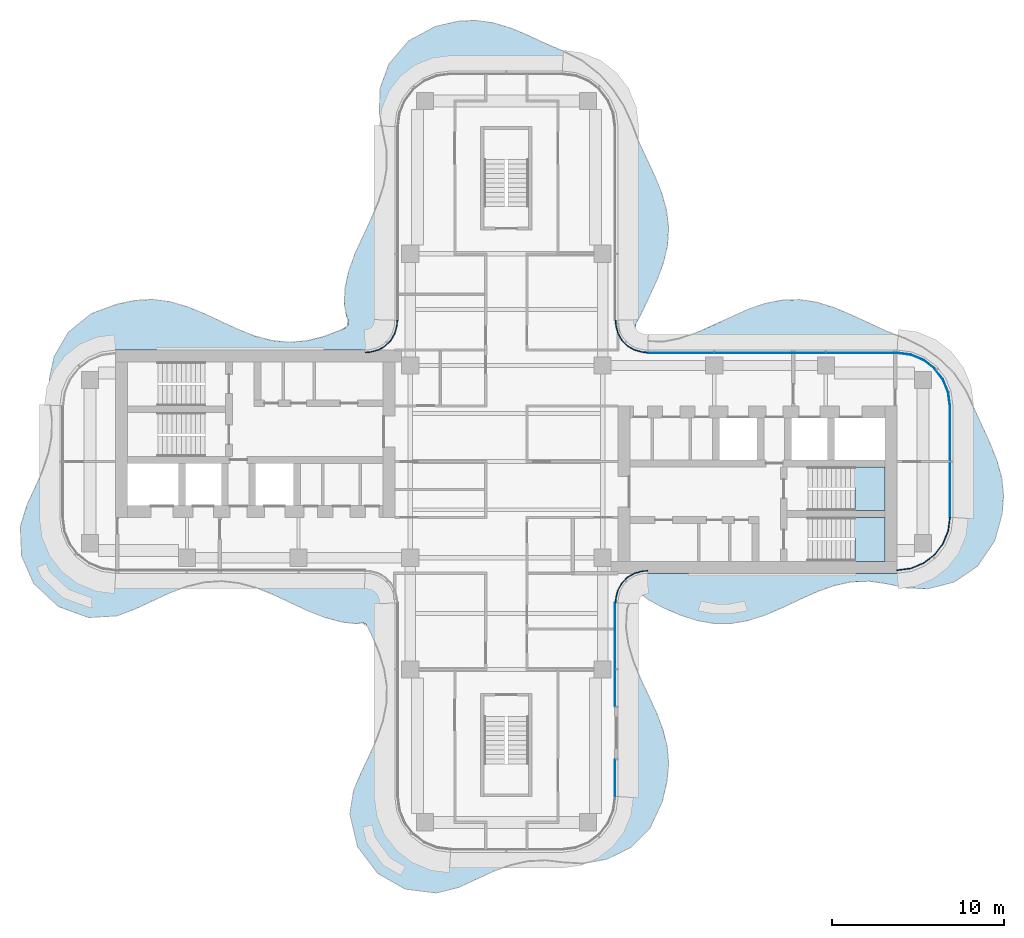
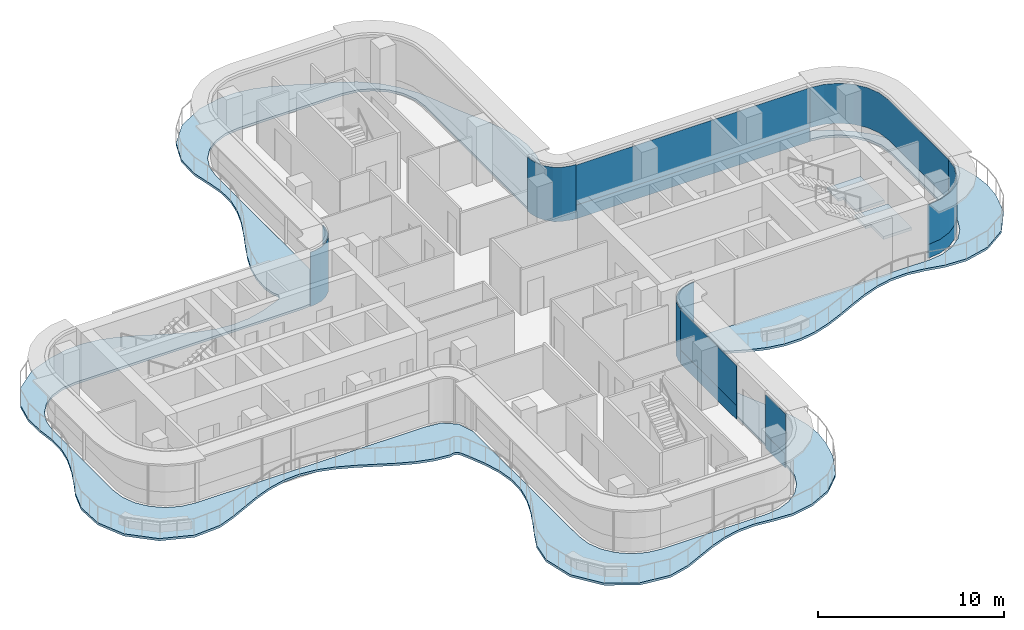
# One storey, part 9 of 16: 12 plates, 3 slabs, 10 elements without a shape of their own.
"""IFC4 building model written with IfcOpenShell, lengths in metres."""

from ifc_helpers import new_model, si_unit, direction, frame, origin, place, context, subcontext, project, spatial, polyline, outline, extrude, source, transform, mapped, material, layer, layer_set, type_object, element, aggregate, save


model = new_model("IFC4")

# Units and contexts
model_context = context("Model", 3, precision=1e-05, world=origin(), true_north=direction((0.0, 1.0)))
body_context = subcontext(model_context, "Body", "Model", "MODEL_VIEW")
ifc_project = project(units=[si_unit("LENGTHUNIT", "METRE"), si_unit("AREAUNIT", "SQUARE_METRE"), si_unit("VOLUMEUNIT", "CUBIC_METRE"), si_unit("PLANEANGLEUNIT", "RADIAN"), si_unit("MASSUNIT", "GRAM", prefix="KILO")], contexts=[model_context])

# Site, building, storey
site_placement = place(None, origin())
site = spatial("IfcSite", under=ifc_project, at=site_placement, CompositionType="ELEMENT")
building_placement = place(site_placement, origin())
building = spatial("IfcBuilding", under=site, at=building_placement, Name="Trellis Farm Tower", CompositionType="ELEMENT")
storey_placement = place(building_placement, frame((0.0, 0.0, 291.10009765625)))
storey = spatial("IfcBuildingStorey", under=building, at=storey_placement, Name="L65", CompositionType="ELEMENT", Elevation=291.10009765625)

# Slab
ifc_material_1 = material(Name="Concrete C40/50", Category="concrete")
ifc_layer_1 = layer(ifc_material_1, 0.14990234375)
ifc_layer_set_1 = layer_set([ifc_layer_1], Name="Balcony slab 150")
slab_type_1 = type_object("IfcSlabType", Name="Balcony slab 150", PredefinedType="FLOOR", material=ifc_layer_set_1)
slab_1_placement = place(storey_placement, frame((0.0, 0.0, -0.150146484375)))
element("IfcSlab", 1, at=slab_1_placement, inside=storey, type_object=slab_type_1, Name="Balcony slab", PredefinedType="FLOOR", context=body_context, shape_type="SweptSolid", body=[
    extrude(outline(polyline([(-27.43359375, -1.492431640625), (-27.00732421875, -0.5166015625), (-27.0048828125, -0.510498046875), (-26.66162109375, 0.518798828125), (-26.658935546875, 0.52880859375), (-26.48486328125, 1.46240234375), (-26.483642578125, 1.474853515625), (-26.46826171875, 2.469482421875), (-26.46875, 2.4794921875), (-26.59765625, 3.57177734375), (-26.5986328125, 3.586669921875), (-26.619384765625, 4.7861328125), (-26.6162109375, 4.8203125), (-26.339599609375, 6.101806640625), (-26.322509765625, 6.1455078125), (-25.54833984375, 7.478759765625), (-25.53271484375, 7.5009765625), (-25.510498046875, 7.526611328125), (-25.491943359375, 7.544921875), (-24.22900390625, 8.583984375), (-24.186279296875, 8.608642578125), (-22.707763671875, 9.1611328125), (-22.68603515625, 9.16748046875), (-21.623779296875, 9.389404296875), (-21.601318359375, 9.392333984375), (-20.62939453125, 9.444091796875), (-20.602783203125, 9.443359375), (-19.62646484375, 9.32080078125), (-19.603515625, 9.316162109375), (-18.6015625, 9.02734375), (-18.586181640625, 9.02197265625), (-17.6025390625, 8.61962890625), (-17.59619140625, 8.61669921875), (-15.6171875, 7.69482421875), (-15.61279296875, 7.693115234375), (-14.62939453125, 7.309814453125), (-14.62109375, 7.307373046875), (-13.640380859375, 7.05078125), (-13.628662109375, 7.048583984375), (-12.64599609375, 6.95361328125), (-12.6328125, 6.95361328125), (-11.6435546875, 7.034912109375), (-11.63134765625, 7.037109375), (-10.634521484375, 7.287109375), (-10.625732421875, 7.289794921875), (-9.60302734375, 7.68310546875), (-9.5986328125, 7.68505859375), (-9.39306640625, 7.77978515625), (-9.375244140625, 7.79150390625), (-9.250732421875, 7.900390625), (-9.228515625, 7.935546875), (-9.185791015625, 8.084228515625), (-9.186279296875, 8.125732421875), (-9.234619140625, 8.28466796875), (-9.242919921875, 8.302978515625), (-9.303466796875, 8.3984375), (-9.324462890625, 8.45263671875), (-9.44091796875, 9.111572265625), (-9.443115234375, 9.145263671875), (-9.39501953125, 10.109375), (-9.3916015625, 10.134033203125), (-9.182373046875, 11.085693359375), (-9.177001953125, 11.1044921875), (-8.81640625, 12.106201171875), (-8.81201171875, 12.11669921875), (-8.368896484375, 13.1015625), (-8.36767578125, 13.104248046875), (-7.89208984375, 14.108154296875), (-7.890869140625, 14.110595703125), (-7.460693359375, 15.114990234375), (-7.458251953125, 15.121337890625), (-7.150146484375, 16.07275390625), (-7.147705078125, 16.0830078125), (-6.97607421875, 17.063720703125), (-6.97509765625, 17.076904296875), (-6.9814453125, 18.123291015625), (-6.982666015625, 18.13623046875), (-7.1572265625, 19.093017578125), (-7.15771484375, 19.0947265625), (-7.3974609375, 20.24609375), (-7.400390625, 20.28125), (-7.358642578125, 21.693359375), (-7.349609375, 21.739990234375), (-6.836669921875, 23.158447265625), (-6.824951171875, 23.18359375), (-6.806884765625, 23.21435546875), (-6.790771484375, 23.23681640625), (-5.70849609375, 24.483154296875), (-5.688720703125, 24.502197265625), (-5.66064453125, 24.5244140625), (-5.6376953125, 24.53955078125), (-4.133056640625, 25.339111328125), (-4.095703125, 25.35302734375), (-2.7763671875, 25.64990234375), (-2.7490234375, 25.653564453125), (-1.777587890625, 25.6904296875), (-1.75048828125, 25.68896484375), (-0.748046875, 25.54541015625), (-0.7255859375, 25.540283203125), (0.250732421875, 25.244384765625), (0.264892578125, 25.2392578125), (1.241943359375, 24.831787109375), (1.248291015625, 24.8291015625), (2.25244140625, 24.35595703125), (2.2548828125, 24.35498046875), (3.31201171875, 23.901611328125), (3.320556640625, 23.897705078125), (4.4453125, 23.328369140625), (4.470947265625, 23.31201171875), (5.431396484375, 22.548095703125), (5.449951171875, 22.530517578125), (6.1787109375, 21.714111328125), (6.19140625, 21.697265625), (6.810302734375, 20.76904296875), (6.822021484375, 20.74755859375), (7.30419921875, 19.67724609375), (7.307373046875, 19.669677734375), (7.723388671875, 18.5908203125), (7.725341796875, 18.586181640625), (8.64697265625, 16.609130859375), (8.650146484375, 16.601806640625), (9.0458984375, 15.61865234375), (9.05126953125, 15.603271484375), (9.324951171875, 14.627685546875), (9.32958984375, 14.604736328125), (9.444580078125, 13.63330078125), (9.4453125, 13.60595703125), (9.3818359375, 12.603515625), (9.378173828125, 12.578369140625), (9.1484375, 11.604736328125), (9.14306640625, 11.5869140625), (8.778564453125, 10.606689453125), (8.77392578125, 10.595947265625), (7.8564453125, 8.617919921875), (7.851806640625, 8.609130859375), (7.54052734375, 8.038818359375), (7.53271484375, 8.017578125), (7.496337890625, 7.8349609375), (7.495361328125, 7.8125), (7.527587890625, 7.50830078125), (7.531494140625, 7.4912109375), (7.576904296875, 7.36328125), (7.595458984375, 7.33447265625), (7.693603515625, 7.240478515625), (7.70751953125, 7.22998046875), (8.060791015625, 7.0234375), (8.07958984375, 7.015625), (8.2421875, 6.97314453125), (8.262939453125, 6.970703125), (9.135498046875, 6.9912109375), (9.148193359375, 6.99267578125), (10.08203125, 7.177490234375), (10.091796875, 7.179931640625), (11.119873046875, 7.531982421875), (11.1259765625, 7.5341796875), (12.112060546875, 7.9697265625), (12.11376953125, 7.970703125), (13.10791015625, 8.442626953125), (13.11181640625, 8.4443359375), (14.10791015625, 8.8818359375), (14.119873046875, 8.886474609375), (15.107666015625, 9.22216796875), (15.127685546875, 9.2275390625), (16.107177734375, 9.414794921875), (16.1328125, 9.41748046875), (17.10595703125, 9.43310546875), (17.132080078125, 9.43115234375), (18.079345703125, 9.27978515625), (18.1005859375, 9.27490234375), (19.0869140625, 8.96630859375), (19.1005859375, 8.961181640625), (20.095458984375, 8.539794921875), (20.099853515625, 8.537841796875), (22.08740234375, 7.61669921875), (22.092041015625, 7.61474609375), (23.19287109375, 7.18994140625), (23.205078125, 7.1845703125), (24.225341796875, 6.6826171875), (24.245361328125, 6.6708984375), (25.181396484375, 6.013427734375), (25.198974609375, 5.998779296875), (26.02392578125, 5.2060546875), (26.0439453125, 5.1826171875), (26.737060546875, 4.170166015625), (26.749755859375, 4.147705078125), (28.191162109375, 0.997802734375), (28.1943359375, 0.990478515625), (28.5771484375, 0.017333984375), (28.58251953125, 0.001220703125), (28.843017578125, -0.97412109375), (28.84716796875, -0.997314453125), (28.94677734375, -1.96923828125), (28.947021484375, -1.99609375), (28.86669921875, -3.028076171875), (28.86181640625, -3.055908203125), (28.453125, -4.5546875), (28.43310546875, -4.59814453125), (27.47802734375, -6.033935546875), (27.459716796875, -6.056396484375), (27.43310546875, -6.083251953125), (27.41064453125, -6.101806640625), (26.0712890625, -7.00927734375), (26.048583984375, -7.02197265625), (26.01806640625, -7.03564453125), (25.992919921875, -7.04443359375), (24.548828125, -7.402587890625), (24.50537109375, -7.406982421875), (23.2392578125, -7.34423828125), (23.214599609375, -7.341064453125), (22.114990234375, -7.100830078125), (22.109619140625, -7.099853515625), (21.1376953125, -6.962646484375), (21.124267578125, -6.9619140625), (20.078125, -7.00244140625), (20.065185546875, -7.00390625), (19.084716796875, -7.215576171875), (19.075439453125, -7.21826171875), (18.11865234375, -7.55859375), (18.11328125, -7.560546875), (17.108154296875, -8.0087890625), (17.106689453125, -8.009765625), (16.104248046875, -8.485107421875), (16.099609375, -8.4873046875), (15.1044921875, -8.917724609375), (15.091796875, -8.922607421875), (14.1044921875, -9.246337890625), (14.083984375, -9.251708984375), (13.105224609375, -9.424072265625), (13.0791015625, -9.42626953125), (12.1064453125, -9.42578125), (12.08056640625, -9.42333984375), (11.108154296875, -9.25146484375), (11.08740234375, -9.24609375), (10.109619140625, -8.92578125), (10.0966796875, -8.9208984375), (9.125244140625, -8.50146484375), (9.11279296875, -8.495361328125), (8.27197265625, -8.03515625), (8.2529296875, -8.02294921875), (7.97021484375, -7.80712890625), (7.955078125, -7.79833984375), (7.82666015625, -7.741455078125), (7.7919921875, -7.7353515625), (7.652099609375, -7.744873046875), (7.63427734375, -7.748291015625), (7.4501953125, -7.806884765625), (7.434814453125, -7.813720703125), (7.322021484375, -7.880615234375), (7.298095703125, -7.9033203125), (7.2255859375, -8.0126953125), (7.218017578125, -8.027587890625), (7.02099609375, -8.55078125), (7.017822265625, -8.562255859375), (6.998291015625, -8.658447265625), (6.99658203125, -8.670654296875), (6.960693359375, -9.632080078125), (6.96142578125, -9.6455078125), (7.09912109375, -10.626953125), (7.101318359375, -10.637939453125), (7.3935546875, -11.619140625), (7.396240234375, -11.626220703125), (7.80322265625, -12.611083984375), (7.8046875, -12.614013671875), (8.725830078125, -14.59326171875), (8.72998046875, -14.602783203125), (9.107177734375, -15.583984375), (9.112548828125, -15.60107421875), (9.359619140625, -16.575439453125), (9.363525390625, -16.599609375), (9.447509765625, -17.571044921875), (9.447265625, -17.59814453125), (9.35205078125, -18.6005859375), (9.348876953125, -18.620361328125), (9.07666015625, -19.78955078125), (9.06640625, -19.81884765625), (8.3642578125, -21.327880859375), (8.3505859375, -21.351318359375), (8.3310546875, -21.37939453125), (8.313720703125, -21.3994140625), (7.238037109375, -22.462646484375), (7.198486328125, -22.49072265625), (5.879150390625, -23.13623046875), (5.84033203125, -23.14892578125), (4.500732421875, -23.39599609375), (4.464599609375, -23.398193359375), (3.293701171875, -23.326904296875), (3.28515625, -23.326171875), (2.284423828125, -23.207763671875), (2.271484375, -23.207275390625), (1.2265625, -23.264892578125), (1.2138671875, -23.266845703125), (0.2333984375, -23.492431640625), (0.224365234375, -23.4951171875), (-0.734375, -23.84619140625), (-0.739990234375, -23.8486328125), (-2.751220703125, -24.775390625), (-2.7763671875, -24.784423828125), (-4.017333984375, -25.105712890625), (-4.044921875, -25.110107421875), (-4.080810546875, -25.112548828125), (-4.108642578125, -25.11181640625), (-5.80810546875, -24.90966796875), (-5.837158203125, -24.903076171875), (-5.873779296875, -24.89111328125), (-5.901123046875, -24.87890625), (-7.490234375, -23.97509765625), (-7.515625, -23.956787109375), (-7.5458984375, -23.93017578125), (-7.56689453125, -23.906982421875), (-8.662109375, -22.421875), (-8.677734375, -22.395263671875), (-8.6943359375, -22.359130859375), (-8.7041015625, -22.330078125), (-9.109130859375, -20.553955078125), (-9.11279296875, -20.525390625), (-9.114013671875, -20.48779296875), (-9.112060546875, -20.458984375), (-8.897705078125, -19.138916015625), (-8.88720703125, -19.103515625), (-8.455322265625, -18.1044921875), (-8.453125, -18.099853515625), (-7.977294921875, -17.097412109375), (-7.9765625, -17.095703125), (-7.53271484375, -16.0908203125), (-7.530517578125, -16.0849609375), (-7.186279296875, -15.084228515625), (-7.18359375, -15.07421875), (-6.988525390625, -14.07958984375), (-6.987060546875, -14.06689453125), (-6.966064453125, -13.080322265625), (-6.967041015625, -13.067138671875), (-7.119873046875, -12.0859375), (-7.122314453125, -12.0751953125), (-7.427001953125, -11.093994140625), (-7.429443359375, -11.0869140625), (-7.838134765625, -10.11572265625), (-7.83935546875, -10.11279296875), (-8.089599609375, -9.58251953125), (-8.101806640625, -9.564453125), (-8.21484375, -9.43896484375), (-8.251220703125, -9.4169921875), (-8.405029296875, -9.377685546875), (-8.4453125, -9.378662109375), (-8.625, -9.434326171875), (-8.68603515625, -9.440185546875), (-9.585693359375, -9.33935546875), (-9.6083984375, -9.3349609375), (-10.59228515625, -9.0654296875), (-10.6083984375, -9.06005859375), (-11.6005859375, -8.6640625), (-11.6083984375, -8.660888671875), (-13.59619140625, -7.734375), (-13.60009765625, -7.732666015625), (-14.583984375, -7.34033203125), (-14.591796875, -7.337890625), (-15.57275390625, -7.068115234375), (-15.584228515625, -7.06591796875), (-16.56640625, -6.955078125), (-16.57958984375, -6.954833984375), (-17.568115234375, -7.020263671875), (-17.58056640625, -7.022216796875), (-18.617919921875, -7.2705078125), (-18.626953125, -7.2734375), (-19.60986328125, -7.644287109375), (-19.614990234375, -7.646484375), (-21.58935546875, -8.56396484375), (-21.598388671875, -8.56787109375), (-22.6328125, -8.968017578125), (-22.6767578125, -8.977783203125), (-24.259765625, -9.08349609375), (-24.29150390625, -9.082275390625), (-24.330810546875, -9.076416015625), (-24.361083984375, -9.06884765625), (-26.080078125, -8.435302734375), (-26.107421875, -8.421875), (-26.140625, -8.401123046875), (-26.164794921875, -8.3828125), (-27.502685546875, -7.115234375), (-27.522216796875, -7.092529296875), (-27.54443359375, -7.06103515625), (-27.55908203125, -7.034912109375), (-28.216796875, -5.535888671875), (-28.2255859375, -5.509521484375), (-28.23388671875, -5.47412109375), (-28.237548828125, -5.4462890625), (-28.30322265625, -3.829833984375), (-28.297119140625, -3.780517578125), (-27.91748046875, -2.520263671875), (-27.909423828125, -2.49951171875), (-27.4345703125, -1.494384765625), (-27.43359375, -1.492431640625)]), holes=[polyline([(-6.82470703125, 7.20947265625), (-6.8583984375, 7.1640625), (-6.89111328125, 7.1318359375), (-7.57177734375, 6.643310546875), (-7.605712890625, 6.625), (-7.6513671875, 6.607666015625), (-7.68896484375, 6.5986328125), (-8.61328125, 6.500732421875), (-8.61767578125, 6.50048828125), (-22.75, 6.50048828125), (-23.59130859375, 6.389892578125), (-24.375244140625, 6.065185546875), (-25.048583984375, 5.548583984375), (-25.565185546875, 4.875244140625), (-25.889892578125, 4.09130859375), (-26.00048828125, 3.25), (-26.00048828125, -3.25), (-25.889892578125, -4.09130859375), (-25.565185546875, -4.875244140625), (-25.048583984375, -5.548583984375), (-24.375244140625, -6.065185546875), (-23.59130859375, -6.389892578125), (-22.75, -6.50048828125), (-8.61767578125, -6.50048828125), (-8.61328125, -6.500732421875), (-7.68896484375, -6.5986328125), (-7.6513671875, -6.607666015625), (-7.605712890625, -6.625), (-7.57177734375, -6.643310546875), (-6.89111328125, -7.1318359375), (-6.8583984375, -7.1640625), (-6.82470703125, -7.20947265625), (-6.802734375, -7.25146484375), (-6.515380859375, -8.11474609375), (-6.5078125, -8.162109375), (-6.50048828125, -18.239013671875), (-6.50048828125, -19.5), (-6.389892578125, -20.34130859375), (-6.065185546875, -21.125244140625), (-5.548583984375, -21.798583984375), (-4.875244140625, -22.315185546875), (-4.09130859375, -22.639892578125), (-3.25, -22.75048828125), (3.25, -22.75048828125), (4.09130859375, -22.639892578125), (4.875244140625, -22.315185546875), (5.548583984375, -21.798583984375), (6.065185546875, -21.125244140625), (6.389892578125, -20.34130859375), (6.50048828125, -19.5), (6.50048828125, -12.636962890625), (6.5009765625, -8.607421875), (6.501953125, -8.59130859375), (6.599365234375, -7.68603515625), (6.6083984375, -7.6484375), (6.6259765625, -7.602783203125), (6.644287109375, -7.568603515625), (7.134521484375, -6.889404296875), (7.166748046875, -6.856689453125), (7.2119140625, -6.822998046875), (7.254150390625, -6.80126953125), (8.117919921875, -6.51513671875), (8.164794921875, -6.507568359375), (20.985107421875, -6.50048828125), (22.75, -6.50048828125), (23.59130859375, -6.389892578125), (24.375244140625, -6.065185546875), (25.048583984375, -5.548583984375), (25.565185546875, -4.875244140625), (25.889892578125, -4.09130859375), (26.00048828125, -3.25), (26.00048828125, 3.25), (25.889892578125, 4.09130859375), (25.565185546875, 4.875244140625), (25.048583984375, 5.548583984375), (24.375244140625, 6.065185546875), (23.59130859375, 6.389892578125), (22.75, 6.50048828125), (20.985107421875, 6.50048828125), (8.164794921875, 6.507568359375), (8.117919921875, 6.51513671875), (7.254150390625, 6.80126953125), (7.2119140625, 6.822998046875), (7.166748046875, 6.856689453125), (7.134521484375, 6.889404296875), (6.644287109375, 7.568603515625), (6.6259765625, 7.602783203125), (6.6083984375, 7.6484375), (6.599365234375, 7.686279296875), (6.500732421875, 8.610107421875), (6.50048828125, 8.614990234375), (6.50048828125, 19.5), (6.389892578125, 20.34130859375), (6.065185546875, 21.125244140625), (5.548583984375, 21.798583984375), (4.875244140625, 22.315185546875), (4.09130859375, 22.639892578125), (3.25, 22.75048828125), (-3.25, 22.75048828125), (-4.09130859375, 22.639892578125), (-4.875244140625, 22.315185546875), (-5.548583984375, 21.798583984375), (-6.065185546875, 21.125244140625), (-6.389892578125, 20.34130859375), (-6.50048828125, 19.5), (-6.50048828125, 17.03369140625), (-6.5078125, 8.162109375), (-6.515380859375, 8.11474609375), (-6.802734375, 7.25146484375), (-6.82470703125, 7.20947265625)])]), origin(), (0.0, 0.0, 1.0), 0.150146484375),
])

# Stair, slab
ifc_material_2 = material(Name="Concrete C50/60", Category="concrete")
stair_type = type_object("IfcStairType", Name="CORE EXIT STAIR 22 RISERS 177 MM", PredefinedType="HALF_TURN_STAIR", material=ifc_material_2)
placement_1 = place(storey_placement, origin())
stair_1 = element("IfcStair", 2, at=placement_1, inside=storey, type_object=stair_type, Name="Exit stair E1", PredefinedType="HALF_TURN_STAIR")
ifc_layer_2 = layer(ifc_material_2, 0.18994140625)
ifc_layer_set_2 = layer_set([ifc_layer_2], Name="CORE STAIR LANDING 190 CONCRETE C50/60")
slab_type_2 = type_object("IfcSlabType", Name="CORE STAIR LANDING 190 CONCRETE C50/60", PredefinedType="LANDING", material=ifc_layer_set_2)
shared_shape_1 = source(origin(), body_context, "Body", "SweptSolid", [
    extrude(outline(polyline([(20.2900390625, -5.800048828125), (20.2900390625, -4.60009765625), (20.300048828125, -4.60009765625), (20.300048828125, -4.449951171875), (19.971923828125, -4.449951171875), (19.971923828125, -3.25), (20.300048828125, -3.25), (22.050048828125, -3.25), (22.050048828125, -5.800048828125), (20.300048828125, -5.800048828125), (20.2900390625, -5.800048828125)])), origin(), (0.0, 0.0, 1.0), 0.18994140625),
])
placement_2 = place(storey_placement, frame((0.0, 0.0, 1.760009765625)))
slab_2 = element("IfcSlab", 3, at=placement_2, type_object=slab_type_2, Name="STE1 landing 1", PredefinedType="LANDING", context=body_context, shape_type="MappedRepresentation", body=[
    mapped(shared_shape_1, transform((0.0, 0.0, 0.0))),
])
aggregate(stair_1, [slab_2])

stair_2 = element("IfcStair", 4, at=placement_1, inside=storey, type_object=stair_type, Name="Exit stair E2", PredefinedType="HALF_TURN_STAIR")
shared_shape_2 = source(origin(), body_context, "Body", "SweptSolid", [
    extrude(outline(polyline([(20.2900390625, -2.85009765625), (20.2900390625, -1.64990234375), (20.300048828125, -1.64990234375), (20.300048828125, -1.5), (19.971923828125, -1.5), (19.971923828125, -0.300048828125), (20.300048828125, -0.300048828125), (22.050048828125, -0.300048828125), (22.050048828125, -2.85009765625), (20.300048828125, -2.85009765625), (20.2900390625, -2.85009765625)])), origin(), (0.0, 0.0, 1.0), 0.18994140625),
])
slab_3 = element("IfcSlab", 5, at=placement_2, type_object=slab_type_2, Name="STE2 landing 1", PredefinedType="LANDING", context=body_context, shape_type="MappedRepresentation", body=[
    mapped(shared_shape_2, transform((0.0, 0.0, 0.0))),
])
aggregate(stair_2, [slab_3])

# Curtain wall, plate
ifc_material_3 = material(Name="Aluminium and glass curtain wall", Category="aluminium")
ifc_layer_3 = layer(ifc_material_3, 0.166015625)
ifc_layer_set_3 = layer_set([ifc_layer_3], Name="WINTER GARDEN CURTAIN WALL CW3")
curtain_wall_type_1 = type_object("IfcCurtainWallType", Name="WINTER GARDEN CURTAIN WALL CW3", PredefinedType="NOTDEFINED", material=ifc_layer_set_3)
curtain_wall_1 = element("IfcCurtainWall", 6, at=placement_1, inside=storey, type_object=curtain_wall_type_1, Name="CW3 002", PredefinedType="NOTDEFINED")
ifc_material_4 = material(Name="Clear insulated glass", Category="glass")
ifc_layer_4 = layer(ifc_material_4, 0.0458984375)
ifc_layer_set_4 = layer_set([ifc_layer_4], Name="CW3 GLASS PANEL 46")
plate_type_1 = type_object("IfcPlateType", Name="CW3 GLASS PANEL 46", PredefinedType="CURTAIN_PANEL", material=ifc_layer_set_4)
shared_shape_3 = source(origin(), body_context, "Body", "SweptSolid", [
    extrude(outline(polyline([(6.3798828125, -8.2275390625), (6.394287109375, -8.0078125), (6.40966796875, -7.89208984375), (6.52490234375, -7.462158203125), (6.7509765625, -7.070556640625), (7.070556640625, -6.7509765625), (7.462158203125, -6.52490234375), (7.89208984375, -6.40966796875), (8.0078125, -6.394287109375), (8.2275390625, -6.3798828125), (8.22607421875, -6.333984375), (8.003173828125, -6.3486328125), (7.883056640625, -6.364501953125), (7.4443359375, -6.48193359375), (7.04248046875, -6.714111328125), (6.714111328125, -7.04248046875), (6.48193359375, -7.4443359375), (6.364501953125, -7.883056640625), (6.3486328125, -8.003173828125), (6.333984375, -8.22607421875), (6.3798828125, -8.2275390625)])), origin(), (0.0, 0.0, 1.0), 3.5498046875),
])
plate_1 = element("IfcPlate", 7, at=placement_1, type_object=plate_type_1, Name="PL3 002", PredefinedType="CURTAIN_PANEL", context=body_context, shape_type="MappedRepresentation", body=[
    mapped(shared_shape_3, transform((0.0, 0.0, 0.0))),
])
aggregate(curtain_wall_1, [plate_1])

curtain_wall_2 = element("IfcCurtainWall", 8, at=placement_1, inside=storey, type_object=curtain_wall_type_1, Name="CW3 003", PredefinedType="NOTDEFINED")
shared_shape_4 = source(origin(), body_context, "Body", "SweptSolid", [
    extrude(outline(polyline([(8.2275390625, 6.3798828125), (8.0078125, 6.394287109375), (7.89208984375, 6.40966796875), (7.462158203125, 6.52490234375), (7.070556640625, 6.7509765625), (6.7509765625, 7.070556640625), (6.52490234375, 7.462158203125), (6.40966796875, 7.89208984375), (6.394287109375, 8.0078125), (6.3798828125, 8.2275390625), (6.333984375, 8.22607421875), (6.3486328125, 8.003173828125), (6.364501953125, 7.883056640625), (6.48193359375, 7.4443359375), (6.714111328125, 7.04248046875), (7.04248046875, 6.714111328125), (7.4443359375, 6.48193359375), (7.883056640625, 6.364501953125), (8.003173828125, 6.3486328125), (8.22607421875, 6.333984375), (8.2275390625, 6.3798828125)])), origin(), (0.0, 0.0, 1.0), 3.5498046875),
])
plate_2 = element("IfcPlate", 9, at=placement_1, type_object=plate_type_1, Name="PL3 003", PredefinedType="CURTAIN_PANEL", context=body_context, shape_type="MappedRepresentation", body=[
    mapped(shared_shape_4, transform((0.0, 0.0, 0.0))),
])
aggregate(curtain_wall_2, [plate_2])

curtain_wall_3 = element("IfcCurtainWall", 10, at=placement_1, inside=storey, type_object=curtain_wall_type_1, Name="CW3 004", PredefinedType="NOTDEFINED")
shared_shape_5 = source(origin(), body_context, "Body", "SweptSolid", [
    extrude(outline(polyline([(-6.3798828125, 8.2275390625), (-6.394287109375, 8.0078125), (-6.40966796875, 7.89208984375), (-6.52490234375, 7.462158203125), (-6.7509765625, 7.070556640625), (-7.070556640625, 6.7509765625), (-7.462158203125, 6.52490234375), (-7.89208984375, 6.40966796875), (-8.0078125, 6.394287109375), (-8.2275390625, 6.3798828125), (-8.22607421875, 6.333984375), (-8.003173828125, 6.3486328125), (-7.883056640625, 6.364501953125), (-7.4443359375, 6.48193359375), (-7.04248046875, 6.714111328125), (-6.714111328125, 7.04248046875), (-6.48193359375, 7.4443359375), (-6.364501953125, 7.883056640625), (-6.3486328125, 8.003173828125), (-6.333984375, 8.22607421875), (-6.3798828125, 8.2275390625)])), origin(), (0.0, 0.0, 1.0), 3.5498046875),
])
plate_3 = element("IfcPlate", 11, at=placement_1, type_object=plate_type_1, Name="PL3 004", PredefinedType="CURTAIN_PANEL", context=body_context, shape_type="MappedRepresentation", body=[
    mapped(shared_shape_5, transform((0.0, 0.0, 0.0))),
])
aggregate(curtain_wall_3, [plate_3])

# Curtain wall, plates
ifc_layer_5 = layer(ifc_material_3, 0.18994140625)
ifc_layer_set_5 = layer_set([ifc_layer_5], Name="RIBBON CURTAIN WALL CW1")
curtain_wall_type_2 = type_object("IfcCurtainWallType", Name="RIBBON CURTAIN WALL CW1", PredefinedType="NOTDEFINED", material=ifc_layer_set_5)
curtain_wall_4 = element("IfcCurtainWall", 12, at=placement_1, inside=storey, type_object=curtain_wall_type_2, Name="CW1 006", PredefinedType="NOTDEFINED")
ifc_layer_6 = layer(ifc_material_4, 0.0400390625)
ifc_layer_set_6 = layer_set([ifc_layer_6], Name="CW1 GLASS PANEL 40")
plate_type_2 = type_object("IfcPlateType", Name="CW1 GLASS PANEL 40", PredefinedType="CURTAIN_PANEL", material=ifc_layer_set_6)
shared_shape_6 = source(origin(), body_context, "Body", "SweptSolid", [
    extrude(outline(polyline([(22.740234375, -6.35009765625), (23.552001953125, -6.2431640625), (24.29931640625, -5.93359375), (24.941162109375, -5.441162109375), (25.43359375, -4.79931640625), (25.7431640625, -4.052001953125), (25.85009765625, -3.240234375), (25.81005859375, -3.237548828125), (25.7041015625, -4.04150390625), (25.398681640625, -4.779296875), (24.91259765625, -5.41259765625), (24.279296875, -5.898681640625), (23.54150390625, -6.2041015625), (22.737548828125, -6.31005859375), (22.740234375, -6.35009765625)])), origin(), (0.0, 0.0, 1.0), 2.6201171875),
])
placement_3 = place(storey_placement, frame((0.0, 0.0, 0.89990234375)))
plate_4 = element("IfcPlate", 13, at=placement_3, type_object=plate_type_2, Name="PL1 006", PredefinedType="CURTAIN_PANEL", context=body_context, shape_type="MappedRepresentation", body=[
    mapped(shared_shape_6, transform((0.0, 0.0, 0.0))),
])
ifc_material_5 = material(Name="Sandstone faced insulated panel", Category="masonry")
ifc_layer_7 = layer(ifc_material_5, 0.050048828125)
ifc_layer_set_7 = layer_set([ifc_layer_7], Name="CW1 STONE SPANDREL PANEL 50")
plate_type_3 = type_object("IfcPlateType", Name="CW1 STONE SPANDREL PANEL 50", PredefinedType="CURTAIN_PANEL", material=ifc_layer_set_7)
shared_shape_7 = source(origin(), body_context, "Body", "SweptSolid", [
    extrude(outline(polyline([(22.740234375, -6.35009765625), (23.552001953125, -6.2431640625), (24.29931640625, -5.93359375), (24.941162109375, -5.441162109375), (25.43359375, -4.79931640625), (25.7431640625, -4.052001953125), (25.85009765625, -3.240234375), (25.800048828125, -3.23681640625), (25.6943359375, -4.0390625), (25.389892578125, -4.774169921875), (24.905517578125, -5.405517578125), (24.274169921875, -5.889892578125), (23.5390625, -6.1943359375), (22.73681640625, -6.300048828125), (22.740234375, -6.35009765625)])), origin(), (0.0, 0.0, 1.0), 0.89990234375),
])
plate_5 = element("IfcPlate", 14, at=placement_1, type_object=plate_type_3, Name="PS1 006", PredefinedType="CURTAIN_PANEL", context=body_context, shape_type="MappedRepresentation", body=[
    mapped(shared_shape_7, transform((0.0, 0.0, 0.0))),
])
aggregate(curtain_wall_4, [plate_4, plate_5])

# Curtain wall, plate
curtain_wall_5 = element("IfcCurtainWall", 15, at=placement_1, inside=storey, type_object=curtain_wall_type_2, Name="CW1 007", PredefinedType="NOTDEFINED")
shared_shape_8 = source(origin(), body_context, "Body", "SweptSolid", [
    extrude(outline(polyline([(25.85009765625, -3.240234375), (25.85009765625, 3.240234375), (25.7431640625, 4.052001953125), (25.43359375, 4.79931640625), (24.941162109375, 5.441162109375), (24.29931640625, 5.93359375), (23.552001953125, 6.2431640625), (22.740234375, 6.35009765625), (22.737548828125, 6.31005859375), (23.54150390625, 6.2041015625), (24.279296875, 5.898681640625), (24.91259765625, 5.41259765625), (25.398681640625, 4.779296875), (25.7041015625, 4.04150390625), (25.81005859375, 3.237548828125), (25.81005859375, -3.237548828125), (25.85009765625, -3.240234375)])), origin(), (0.0, 0.0, 1.0), 2.6201171875),
])
plate_6 = element("IfcPlate", 16, at=placement_3, type_object=plate_type_2, Name="PL1 007", PredefinedType="CURTAIN_PANEL", context=body_context, shape_type="MappedRepresentation", body=[
    mapped(shared_shape_8, transform((0.0, 0.0, 0.0))),
])
aggregate(curtain_wall_5, [plate_6])

# Curtain wall, plates
curtain_wall_6 = element("IfcCurtainWall", 17, at=placement_1, inside=storey, type_object=curtain_wall_type_2, Name="CW1 008", PredefinedType="NOTDEFINED")
shared_shape_9 = source(origin(), body_context, "Body", "SweptSolid", [
    extrude(outline(polyline([(22.740234375, 6.35009765625), (8.2265625, 6.35009765625), (8.22509765625, 6.31005859375), (22.737548828125, 6.31005859375), (22.740234375, 6.35009765625)])), origin(), (0.0, 0.0, 1.0), 2.6201171875),
])
plate_7 = element("IfcPlate", 18, at=placement_3, type_object=plate_type_2, Name="PL1 008", PredefinedType="CURTAIN_PANEL", context=body_context, shape_type="MappedRepresentation", body=[
    mapped(shared_shape_9, transform((0.0, 0.0, 0.0))),
])
shared_shape_10 = source(origin(), body_context, "Body", "SweptSolid", [
    extrude(outline(polyline([(22.740234375, 6.35009765625), (8.2265625, 6.35009765625), (8.224853515625, 6.300048828125), (22.73681640625, 6.300048828125), (22.740234375, 6.35009765625)])), origin(), (0.0, 0.0, 1.0), 0.89990234375),
])
plate_8 = element("IfcPlate", 19, at=placement_1, type_object=plate_type_3, Name="PS1 008", PredefinedType="CURTAIN_PANEL", context=body_context, shape_type="MappedRepresentation", body=[
    mapped(shared_shape_10, transform((0.0, 0.0, 0.0))),
])
aggregate(curtain_wall_6, [plate_7, plate_8])

curtain_wall_7 = element("IfcCurtainWall", 20, at=placement_1, inside=storey, type_object=curtain_wall_type_2, Name="CW1 004", PredefinedType="NOTDEFINED")
shared_shape_11 = source(origin(), body_context, "Body", "SweptSolid", [
    extrude(outline(polyline([(6.35009765625, -19.490234375), (6.35009765625, -17.360107421875), (6.31005859375, -17.360107421875), (6.31005859375, -19.487548828125), (6.35009765625, -19.490234375)])), origin(), (0.0, 0.0, 1.0), 2.6201171875),
])
plate_9 = element("IfcPlate", 21, at=placement_3, type_object=plate_type_2, Name="PL1 004", PredefinedType="CURTAIN_PANEL", context=body_context, shape_type="MappedRepresentation", body=[
    mapped(shared_shape_11, transform((0.0, 0.0, 0.0))),
])
shared_shape_12 = source(origin(), body_context, "Body", "SweptSolid", [
    extrude(outline(polyline([(6.35009765625, -19.490234375), (6.35009765625, -17.360107421875), (6.300048828125, -17.360107421875), (6.300048828125, -19.48681640625), (6.35009765625, -19.490234375)])), origin(), (0.0, 0.0, 1.0), 0.89990234375),
])
plate_10 = element("IfcPlate", 22, at=placement_1, type_object=plate_type_3, Name="PS1 004", PredefinedType="CURTAIN_PANEL", context=body_context, shape_type="MappedRepresentation", body=[
    mapped(shared_shape_12, transform((0.0, 0.0, 0.0))),
])
aggregate(curtain_wall_7, [plate_9, plate_10])

curtain_wall_8 = element("IfcCurtainWall", 23, at=placement_1, inside=storey, type_object=curtain_wall_type_2, Name="CW1 005", PredefinedType="NOTDEFINED")
shared_shape_13 = source(origin(), body_context, "Body", "SweptSolid", [
    extrude(outline(polyline([(6.35009765625, -14.239990234375), (6.35009765625, -8.2265625), (6.31005859375, -8.22509765625), (6.31005859375, -14.239990234375), (6.35009765625, -14.239990234375)])), origin(), (0.0, 0.0, 1.0), 2.6201171875),
])
plate_11 = element("IfcPlate", 24, at=placement_3, type_object=plate_type_2, Name="PL1 005", PredefinedType="CURTAIN_PANEL", context=body_context, shape_type="MappedRepresentation", body=[
    mapped(shared_shape_13, transform((0.0, 0.0, 0.0))),
])
shared_shape_14 = source(origin(), body_context, "Body", "SweptSolid", [
    extrude(outline(polyline([(6.35009765625, -14.239990234375), (6.35009765625, -8.2265625), (6.300048828125, -8.224853515625), (6.300048828125, -14.239990234375), (6.35009765625, -14.239990234375)])), origin(), (0.0, 0.0, 1.0), 0.89990234375),
])
plate_12 = element("IfcPlate", 25, at=placement_1, type_object=plate_type_3, Name="PS1 005", PredefinedType="CURTAIN_PANEL", context=body_context, shape_type="MappedRepresentation", body=[
    mapped(shared_shape_14, transform((0.0, 0.0, 0.0))),
])
aggregate(curtain_wall_8, [plate_11, plate_12])

save(model, "model.ifc")
